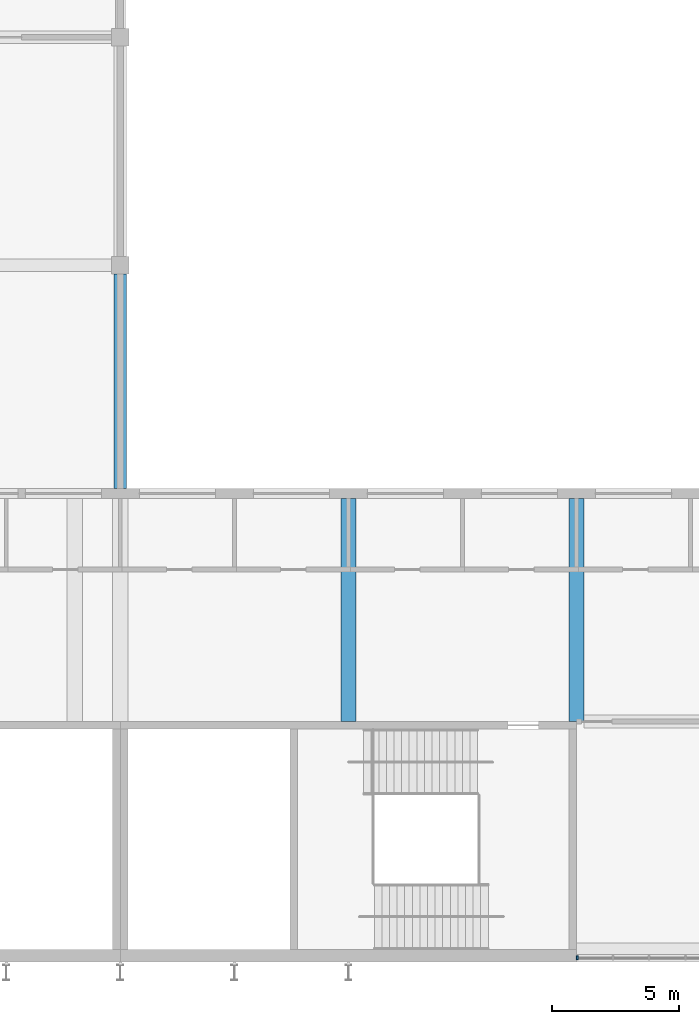
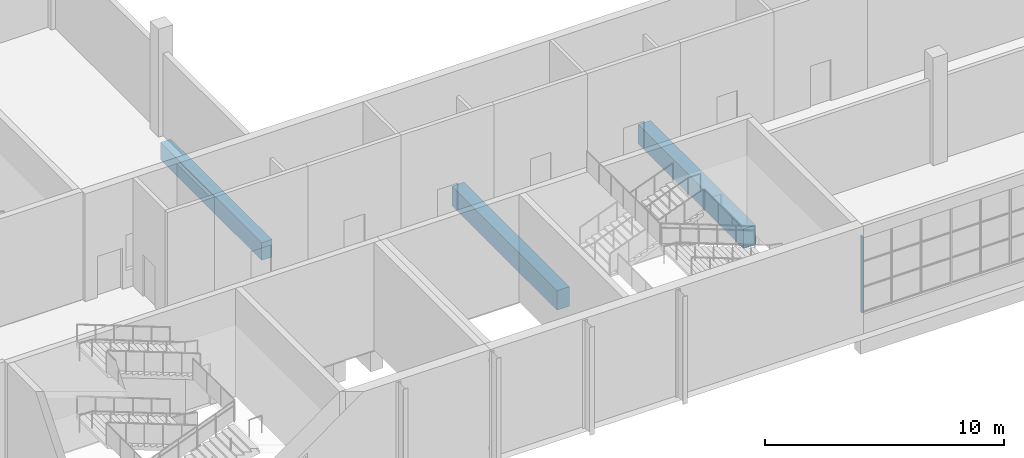
# One storey, part 4 of 84: 3 beams, 1 member, 1 element without a shape of its own.
"""IFC4 building model written with IfcOpenShell, lengths in metres."""

from ifc_helpers import new_model, si_unit, direction, frame, origin, origin_2d, place, context, subcontext, project, spatial, rectangle, extrude, material, material_profile, profile_set, type_object, element, aggregate, save


model = new_model("IFC4")

# Units and contexts
model_context = context("Model", 3, precision=1e-05, world=origin(), true_north=direction((0.0, 1.0)))
body_context = subcontext(model_context, "Body", "Model", "MODEL_VIEW")
ifc_project = project(units=[si_unit("LENGTHUNIT", "METRE"), si_unit("AREAUNIT", "SQUARE_METRE"), si_unit("VOLUMEUNIT", "CUBIC_METRE"), si_unit("PLANEANGLEUNIT", "RADIAN"), si_unit("MASSUNIT", "GRAM", prefix="KILO")], contexts=[model_context])

# Site, building, storey
site_placement = place(None, origin())
site = spatial("IfcSite", under=ifc_project, at=site_placement, CompositionType="ELEMENT")
building_placement = place(site_placement, origin())
building = spatial("IfcBuilding", under=site, at=building_placement, Name="Silverbay Arena", CompositionType="ELEMENT")
storey_placement = place(building_placement, frame((0.0, 0.0, 28.0)))
storey = spatial("IfcBuildingStorey", under=building, at=storey_placement, Name="L04", CompositionType="ELEMENT", Elevation=28.0)

# Curtain wall, member
ifc_material_1 = material(Name="Aluminium framed curtain wall", Category="aluminium")
curtain_wall_type = type_object("IfcCurtainWallType", Name="Curtain wall 8600 x 3900", PredefinedType="NOTDEFINED", material=ifc_material_1)
curtain_wall_placement = place(storey_placement, origin())
curtain_wall = element("IfcCurtainWall", 1, at=curtain_wall_placement, inside=storey, type_object=curtain_wall_type, Name="South curtain wall L04 bay 8", PredefinedType="NOTDEFINED")
ifc_material_2 = material(Name="Aluminium", Category="aluminium")
ifc_material_profile_1 = material_profile(ifc_material_2, rectangle(XDim=0.159912109375, YDim=0.06005859375, at=origin_2d()), Name="Mullion 60 x 160")
ifc_profile_set_1 = profile_set([ifc_material_profile_1], Name="Aluminium")
member_type = type_object("IfcMemberType", Name="Mullion 60 x 160", PredefinedType="MULLION", material=ifc_profile_set_1)
member_placement = place(storey_placement, frame((117.030029296875, 17.669921875, 1.0), z_axis=(0.0, 0.0, 1.0), x_axis=(0.0, 1.0, 0.0)))
member = element("IfcMember", 2, at=member_placement, type_object=member_type, Name="CW1 mullion 1", PredefinedType="MULLION", context=body_context, shape_type="SweptSolid", body=[
    extrude(rectangle(XDim=0.159912109375, YDim=0.06005859375, at=origin_2d()), origin(), (0.0, 0.0, 1.0), 3.89990234375),
])
aggregate(curtain_wall, [member])

# Beams
ifc_material_3 = material(Name="Concrete Grade C45", Category="concrete")
ifc_material_profile_2 = material_profile(ifc_material_3, rectangle(XDim=0.5, YDim=0.89990234375, at=origin_2d()), Name="RC 500x900")
ifc_profile_set_2 = profile_set([ifc_material_profile_2], Name="Concrete Grade C45")
beam_type_1 = type_object("IfcBeamType", Name="RC beam 500x900", PredefinedType="BEAM", material=ifc_profile_set_2)
beam_placement = place(storey_placement, frame((99.0, 36.199951171875, -0.75), z_axis=(0.0, 1.0, 0.0), x_axis=(-1.0, 0.0, 0.0)))
element("IfcBeam", 3, at=beam_placement, inside=storey, type_object=beam_type_1, Name="Floor beam L04 104", PredefinedType="BEAM", context=body_context, shape_type="SweptSolid", body=[
    extrude(rectangle(XDim=0.5, YDim=0.89990234375, at=origin_2d()), origin(), (0.0, 0.0, 1.0), 8.449951171875),
])
ifc_material_4 = material(Name="Concrete Grade C45", Category="concrete")
ifc_material_profile_3 = material_profile(ifc_material_4, rectangle(XDim=0.60009765625, YDim=1.0, at=origin_2d()), Name="RC 600x1000")
ifc_profile_set_3 = profile_set([ifc_material_profile_3], Name="Concrete Grade C45")
beam_type_2 = type_object("IfcBeamType", Name="RC beam 600x1000", PredefinedType="BEAM", material=ifc_profile_set_3)
for number, where, z_axis, x_axis, name in (
    (4, (108.0, 27.0, -0.800048828125), (0.0, 1.0, 0.0), (-1.0, 0.0, 0.0), "Floor beam L04 111"),
    (5, (117.0, 27.0, -0.800048828125), (0.0, 1.0, 0.0), (-1.0, 0.0, 0.0), "Floor beam L04 113"),
):
    element("IfcBeam", number, at=place(storey_placement, frame(where, z_axis=z_axis, x_axis=x_axis)), inside=storey, type_object=beam_type_2, Name=name, PredefinedType="BEAM", context=body_context, shape_type="SweptSolid", body=[
        extrude(rectangle(XDim=0.60009765625, YDim=1.0, at=origin_2d()), origin(), (0.0, 0.0, 1.0), 8.800048828125),
    ])

save(model, "model.ifc")
